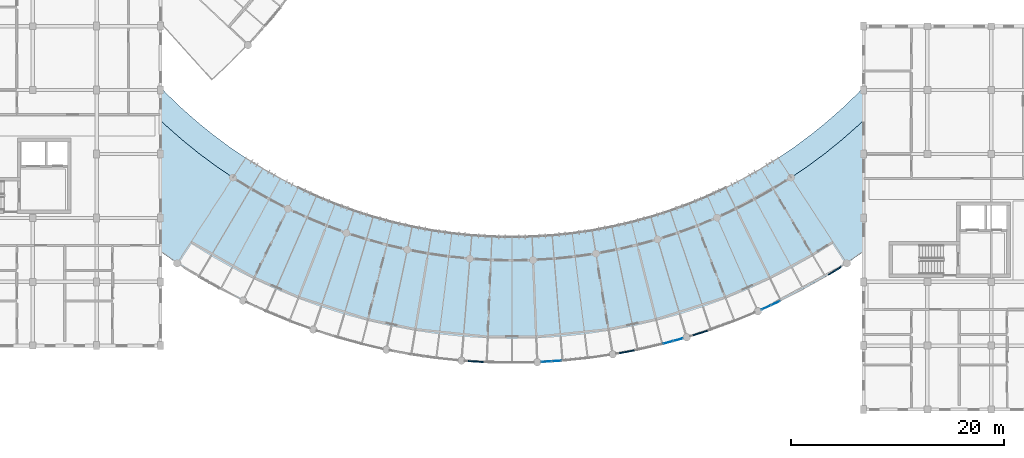
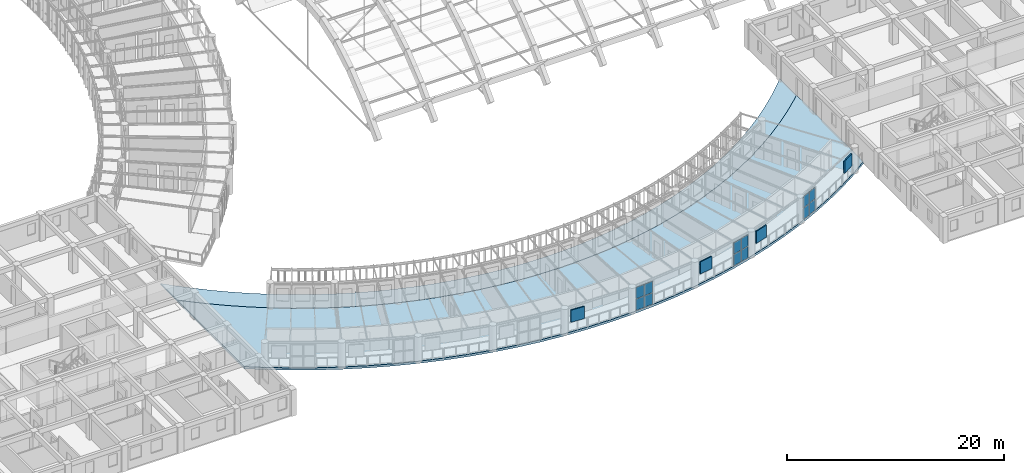
# One storey, part 62 of 123: 16 plates, 2 slabs, 3 elements without a shape of their own.
"""IFC4 building model written with IfcOpenShell, lengths in metres."""

from ifc_helpers import new_model, si_unit, direction, frame, origin, origin_2d, place, context, subcontext, project, spatial, polyline, rectangle, outline, extrude, material, layer, layer_set, type_object, element, aggregate, save


model = new_model("IFC4")

# Units and contexts
model_context = context("Model", 3, precision=1e-05, world=origin(), true_north=direction((0.0, 1.0)))
body_context = subcontext(model_context, "Body", "Model", "MODEL_VIEW")
ifc_project = project(units=[si_unit("LENGTHUNIT", "METRE"), si_unit("AREAUNIT", "SQUARE_METRE"), si_unit("VOLUMEUNIT", "CUBIC_METRE"), si_unit("PLANEANGLEUNIT", "RADIAN"), si_unit("MASSUNIT", "GRAM", prefix="KILO"), si_unit("POWERUNIT", "WATT"), si_unit("THERMODYNAMICTEMPERATUREUNIT", "KELVIN")], contexts=[model_context])

# Site, building, storey
site_placement = place(None, origin())
site = spatial("IfcSite", under=ifc_project, at=site_placement, CompositionType="ELEMENT")
building_placement = place(site_placement, origin())
building = spatial("IfcBuilding", under=site, at=building_placement, Name="Ruvembo Vaulted Housing Court", CompositionType="ELEMENT")
storey_placement = place(building_placement, frame((0.0, 0.0, 7.699951171875)))
storey = spatial("IfcBuildingStorey", under=building, at=storey_placement, Name="L02", CompositionType="ELEMENT", Elevation=7.699951171875)

# Curtain wall, plates
ifc_material_1 = material(Name="Anodised Aluminium and Solar-Control Glass", Category="aluminium")
ifc_layer_1 = layer(ifc_material_1, 0.139892578125, Name="Anodised Aluminium and Solar-Control Glass")
ifc_layer_set_1 = layer_set([ifc_layer_1], Name="Anodised Aluminium and Solar-Control Glass")
curtain_wall_type_1 = type_object("IfcCurtainWallType", Name="CW-SCOOP-PAN", PredefinedType="NOTDEFINED", material=ifc_layer_set_1)
curtain_wall_1_placement = place(storey_placement, origin())
curtain_wall_1 = element("IfcCurtainWall", 1, at=curtain_wall_1_placement, inside=storey, type_object=curtain_wall_type_1, Name="L02 Curtain Wall CW-L02-0039", PredefinedType="NOTDEFINED")
ifc_material_2 = material(Name="Solar-Control Laminated Insulating Glass", Category="glass")
ifc_layer_2 = layer(ifc_material_2, 0.035888671875, Name="Solar-Control Laminated Insulating Glass")
ifc_layer_set_2 = layer_set([ifc_layer_2], Name="Solar-Control Laminated Insulating Glass")
plate_type_1 = type_object("IfcPlateType", Name="CW-PANEL-ACOUST", PredefinedType="CURTAIN_PANEL", material=ifc_layer_set_2)
plate_1_placement = place(storey_placement, frame((83.64990234375, 6.30322265625, 0.06005859375), z_axis=(0.0, 0.0, 1.0), x_axis=(0.964255188293, 0.264975341966, 0.0)))
plate_1 = element("IfcPlate", 2, at=plate_1_placement, type_object=plate_type_1, Name="CW10 panel 1.1", PredefinedType="CURTAIN_PANEL", context=body_context, shape_type="SweptSolid", body=[
    extrude(rectangle(XDim=0.905517578125, YDim=0.035888671875, at=origin_2d()), origin(), (0.0, 0.0, 1.0), 1.259033203125),
])
plate_2_placement = place(storey_placement, frame((83.64990234375, 6.30322265625, 1.37890625), z_axis=(0.0, 0.0, 1.0), x_axis=(0.964255188293, 0.264975341966, 0.0)))
plate_2 = element("IfcPlate", 3, at=plate_2_placement, type_object=plate_type_1, Name="CW10 panel 1.2", PredefinedType="CURTAIN_PANEL", context=body_context, shape_type="SweptSolid", body=[
    extrude(rectangle(XDim=0.905517578125, YDim=0.035888671875, at=origin_2d()), origin(), (0.0, 0.0, 1.0), 1.259033203125),
])
plate_3_placement = place(storey_placement, frame((84.575927734375, 6.557861328125, 0.06005859375), z_axis=(0.0, 0.0, 1.0), x_axis=(0.964255188293, 0.264975341966, 0.0)))
plate_3 = element("IfcPlate", 4, at=plate_3_placement, type_object=plate_type_1, Name="CW10 panel 2.1", PredefinedType="CURTAIN_PANEL", context=body_context, shape_type="SweptSolid", body=[
    extrude(rectangle(XDim=0.905517578125, YDim=0.035888671875, at=origin_2d()), origin(), (0.0, 0.0, 1.0), 1.259033203125),
])
plate_4_placement = place(storey_placement, frame((84.575927734375, 6.557861328125, 1.37890625), z_axis=(0.0, 0.0, 1.0), x_axis=(0.964255188293, 0.264975341966, 0.0)))
plate_4 = element("IfcPlate", 5, at=plate_4_placement, type_object=plate_type_1, Name="CW10 panel 2.2", PredefinedType="CURTAIN_PANEL", context=body_context, shape_type="SweptSolid", body=[
    extrude(rectangle(XDim=0.905517578125, YDim=0.035888671875, at=origin_2d()), origin(), (0.0, 0.0, 1.0), 1.259033203125),
])
aggregate(curtain_wall_1, [plate_1, plate_2, plate_3, plate_4])

ifc_layer_3 = layer(ifc_material_1, 0.1201171875, Name="Anodised Aluminium and Solar-Control Glass")
ifc_layer_set_3 = layer_set([ifc_layer_3], Name="Anodised Aluminium and Solar-Control Glass")
curtain_wall_type_2 = type_object("IfcCurtainWallType", Name="CW-SCOOP-GAL", PredefinedType="NOTDEFINED", material=ifc_layer_set_3)
curtain_wall_2_placement = place(storey_placement, origin())
curtain_wall_2 = element("IfcCurtainWall", 6, at=curtain_wall_2_placement, inside=storey, type_object=curtain_wall_type_2, Name="L02 Curtain Wall CW-L02-0038", PredefinedType="NOTDEFINED")
ifc_layer_4 = layer(ifc_material_2, 0.028076171875, Name="Solar-Control Laminated Insulating Glass")
ifc_layer_set_4 = layer_set([ifc_layer_4], Name="Solar-Control Laminated Insulating Glass")
plate_type_2 = type_object("IfcPlateType", Name="CW-PANEL-GLAZED", PredefinedType="CURTAIN_PANEL", material=ifc_layer_set_4)
plate_5_placement = place(storey_placement, frame((72.234130859375, 4.502197265625, 0.06005859375), z_axis=(0.0, 0.0, 1.0), x_axis=(0.998086104235, 0.061839538585, 0.0)))
plate_5 = element("IfcPlate", 7, at=plate_5_placement, type_object=plate_type_2, Name="CW6 panel 1.1", PredefinedType="CURTAIN_PANEL", context=body_context, shape_type="SweptSolid", body=[
    extrude(rectangle(XDim=0.890625, YDim=0.028076171875, at=origin_2d()), origin(), (0.0, 0.0, 1.0), 1.259033203125),
])
plate_6_placement = place(storey_placement, frame((72.234130859375, 4.502197265625, 1.37890625), z_axis=(0.0, 0.0, 1.0), x_axis=(0.998086104235, 0.061839538585, 0.0)))
plate_6 = element("IfcPlate", 8, at=plate_6_placement, type_object=plate_type_2, Name="CW6 panel 1.2", PredefinedType="CURTAIN_PANEL", context=body_context, shape_type="SweptSolid", body=[
    extrude(rectangle(XDim=0.890625, YDim=0.028076171875, at=origin_2d()), origin(), (0.0, 0.0, 1.0), 1.259033203125),
])
plate_7_placement = place(storey_placement, frame((73.187744140625, 4.561279296875, 0.06005859375), z_axis=(0.0, 0.0, 1.0), x_axis=(0.998086104235, 0.061839538585, 0.0)))
plate_7 = element("IfcPlate", 9, at=plate_7_placement, type_object=plate_type_2, Name="CW6 panel 2.1", PredefinedType="CURTAIN_PANEL", context=body_context, shape_type="SweptSolid", body=[
    extrude(rectangle(XDim=0.890625, YDim=0.028076171875, at=origin_2d()), origin(), (0.0, 0.0, 1.0), 1.259033203125),
])
plate_8_placement = place(storey_placement, frame((73.187744140625, 4.561279296875, 1.37890625), z_axis=(0.0, 0.0, 1.0), x_axis=(0.998086104235, 0.061839538585, 0.0)))
plate_8 = element("IfcPlate", 10, at=plate_8_placement, type_object=plate_type_2, Name="CW6 panel 2.2", PredefinedType="CURTAIN_PANEL", context=body_context, shape_type="SweptSolid", body=[
    extrude(rectangle(XDim=0.890625, YDim=0.028076171875, at=origin_2d()), origin(), (0.0, 0.0, 1.0), 1.259033203125),
])
aggregate(curtain_wall_2, [plate_5, plate_6, plate_7, plate_8])

curtain_wall_3_placement = place(storey_placement, origin())
curtain_wall_3 = element("IfcCurtainWall", 11, at=curtain_wall_3_placement, inside=storey, type_object=curtain_wall_type_1, Name="L02 Curtain Wall CW-L02-0040", PredefinedType="NOTDEFINED")
ifc_layer_5 = layer(ifc_material_2, 0.031982421875, Name="Solar-Control Laminated Insulating Glass")
ifc_layer_set_5 = layer_set([ifc_layer_5], Name="Solar-Control Laminated Insulating Glass")
plate_type_3 = type_object("IfcPlateType", Name="CW-PANEL-SOLAR", PredefinedType="CURTAIN_PANEL", material=ifc_layer_set_5)
plate_9_placement = place(storey_placement, frame((92.873291015625, 9.5927734375, 0.065185546875), z_axis=(0.0, 0.0, 1.0), x_axis=(0.907645116365, 0.419738421805, 0.0)))
plate_9 = element("IfcPlate", 12, at=plate_9_placement, type_object=plate_type_3, Name="CW10 panel 1.1", PredefinedType="CURTAIN_PANEL", context=body_context, shape_type="SweptSolid", body=[
    extrude(rectangle(XDim=0.89794921875, YDim=0.031982421875, at=origin_2d()), origin(), (0.0, 0.0, 1.0), 1.25146484375),
])
plate_10_placement = place(storey_placement, frame((92.873291015625, 9.5927734375, 1.381591796875), z_axis=(0.0, 0.0, 1.0), x_axis=(0.907645116365, 0.419738421805, 0.0)))
plate_10 = element("IfcPlate", 13, at=plate_10_placement, type_object=plate_type_3, Name="CW10 panel 1.2", PredefinedType="CURTAIN_PANEL", context=body_context, shape_type="SweptSolid", body=[
    extrude(rectangle(XDim=0.89794921875, YDim=0.031982421875, at=origin_2d()), origin(), (0.0, 0.0, 1.0), 1.25146484375),
])
plate_11_placement = place(storey_placement, frame((93.742919921875, 9.994873046875, 0.065185546875), z_axis=(0.0, 0.0, 1.0), x_axis=(0.907645116365, 0.419738421805, 0.0)))
plate_11 = element("IfcPlate", 14, at=plate_11_placement, type_object=plate_type_3, Name="CW10 panel 2.1", PredefinedType="CURTAIN_PANEL", context=body_context, shape_type="SweptSolid", body=[
    extrude(rectangle(XDim=0.89794921875, YDim=0.031982421875, at=origin_2d()), origin(), (0.0, 0.0, 1.0), 1.25146484375),
])
plate_12_placement = place(storey_placement, frame((93.742919921875, 9.994873046875, 1.381591796875), z_axis=(0.0, 0.0, 1.0), x_axis=(0.907645116365, 0.419738421805, 0.0)))
plate_12 = element("IfcPlate", 15, at=plate_12_placement, type_object=plate_type_3, Name="CW10 panel 2.2", PredefinedType="CURTAIN_PANEL", context=body_context, shape_type="SweptSolid", body=[
    extrude(rectangle(XDim=0.89794921875, YDim=0.031982421875, at=origin_2d()), origin(), (0.0, 0.0, 1.0), 1.25146484375),
])
aggregate(curtain_wall_3, [plate_9, plate_10, plate_11, plate_12])

# Plates
ifc_material_3 = material(Name="Perforated Glazed Ceramic Cobogo Block", Category="ceramic")
ifc_layer_6 = layer(ifc_material_3, 0.1201171875, Name="Perforated Glazed Ceramic Cobogo Block")
ifc_layer_set_6 = layer_set([ifc_layer_6], Name="Perforated Glazed Ceramic Cobogo Block")
plate_type_4 = type_object("IfcPlateType", Name="PL-COBOGO-120", PredefinedType="USERDEFINED", material=ifc_layer_set_6)
for number, where, z_axis, x_axis, name in (
    (16, (65.58837890625, 4.51318359375, 1.1201171875), (0.0, 0.0, 1.0), (0.998086543166, -0.061832453863, 0.0), "Scoop SC2 L02 Ceramic Cobogo Screen #43"),
    (17, (79.776611328125, 5.429443359375, 1.1201171875), (0.0, 0.0, 1.0), (0.982816353606, 0.184586064165, 0.0), "Scoop SC2 L02 Ceramic Cobogo Screen #44"),
    (18, (86.677490234375, 7.1923828125, 1.1201171875), (0.0, 0.0, 1.0), (0.952523417345, 0.304465333674, 0.0), "Scoop SC2 L02 Ceramic Cobogo Screen #45"),
    (19, (99.31201171875, 13.03515625, 1.1201171875), (0.0, 0.0, 1.0), (0.848888670256, 0.528571684363, 0.0), "Scoop SC2 L02 Ceramic Cobogo Screen #46"),
):
    element("IfcPlate", number, at=place(storey_placement, frame(where, z_axis=z_axis, x_axis=x_axis)), inside=storey, type_object=plate_type_4, Name=name, ObjectType="COBOGO_PANEL", PredefinedType="USERDEFINED", context=body_context, shape_type="SweptSolid", body=[
        extrude(rectangle(XDim=1.39990234375, YDim=0.1201171875, at=origin_2d()), origin(), (0.0, 0.0, 1.0), 1.360107421875),
    ])

# Slabs
ifc_material_4 = material(Name="Concrete C35/45", Category="concrete")
ifc_layer_7 = layer(ifc_material_4, 0.179931640625, Name="Concrete C35/45")
ifc_layer_set_7 = layer_set([ifc_layer_7], Name="Concrete C35/45")
slab_type_1 = type_object("IfcSlabType", Name="SL-BAL-180", PredefinedType="FLOOR", material=ifc_layer_set_7)
slab_1_placement = place(storey_placement, frame((0.0, 0.0, -0.179931640625)))
element("IfcSlab", 20, at=slab_1_placement, inside=storey, type_object=slab_type_1, Name="Scoop SC2 L02 Continuous Curved Balcony Slab", PredefinedType="FLOOR", context=body_context, shape_type="SweptSolid", body=[
    extrude(outline(polyline([(36.0, 30.2548828125), (36.0, 27.156494140625), (36.543701171875, 26.636474609375), (38.02978515625, 25.327880859375), (39.568359375, 24.081787109375), (41.1572265625, 22.900390625), (42.79345703125, 21.785400390625), (44.474365234375, 20.73876953125), (46.19677734375, 19.762451171875), (47.958251953125, 18.85791015625), (49.75537109375, 18.02685546875), (51.585205078125, 17.2705078125), (53.44482421875, 16.59033203125), (55.330810546875, 15.987548828125), (57.239990234375, 15.462890625), (59.169189453125, 15.017578125), (61.115234375, 14.652099609375), (63.07470703125, 14.3671875), (65.044189453125, 14.163330078125), (67.0205078125, 14.040771484375), (69.0, 14.0), (70.9794921875, 14.040771484375), (72.955810546875, 14.163330078125), (74.92529296875, 14.3671875), (76.884765625, 14.652099609375), (78.830810546875, 15.017578125), (80.760009765625, 15.462890625), (82.669189453125, 15.987548828125), (84.55517578125, 16.59033203125), (86.414794921875, 17.2705078125), (88.24462890625, 18.02685546875), (90.041748046875, 18.85791015625), (91.80322265625, 19.762451171875), (93.525634765625, 20.73876953125), (95.20654296875, 21.785400390625), (96.8427734375, 22.900390625), (98.431640625, 24.081787109375), (99.97021484375, 25.327880859375), (101.456298828125, 26.636474609375), (102.0, 27.156494140625), (102.0, 30.2548828125), (101.333984375, 29.563232421875), (99.96875, 28.25732421875), (98.55078125, 27.0087890625), (97.08251953125, 25.81982421875), (95.566650390625, 24.6923828125), (94.00537109375, 23.62841796875), (92.401611328125, 22.6298828125), (90.758056640625, 21.6982421875), (89.077392578125, 20.835205078125), (87.362548828125, 20.042236328125), (85.61669921875, 19.320556640625), (83.84228515625, 18.671630859375), (82.042724609375, 18.096435546875), (80.220947265625, 17.595703125), (78.380126953125, 17.1708984375), (76.523193359375, 16.822021484375), (74.65380859375, 16.55029296875), (72.7744140625, 16.355712890625), (70.888916015625, 16.239013671875), (69.0, 16.199951171875), (67.111083984375, 16.239013671875), (65.2255859375, 16.355712890625), (63.34619140625, 16.55029296875), (61.476806640625, 16.822021484375), (59.619873046875, 17.1708984375), (57.779052734375, 17.595703125), (55.957275390625, 18.096435546875), (54.15771484375, 18.671630859375), (52.38330078125, 19.320556640625), (50.637451171875, 20.042236328125), (48.922607421875, 20.835205078125), (47.241943359375, 21.6982421875), (45.598388671875, 22.6298828125), (43.99462890625, 23.62841796875), (42.433349609375, 24.6923828125), (40.91748046875, 25.81982421875), (39.44921875, 27.0087890625), (38.03125, 28.25732421875), (36.666015625, 29.563232421875), (36.0, 30.2548828125)])), origin(), (0.0, 0.0, 1.0), 0.179931640625),
])
ifc_layer_8 = layer(ifc_material_4, 0.251953125, Name="Concrete C35/45")
ifc_layer_set_8 = layer_set([ifc_layer_8], Name="Concrete C35/45")
slab_type_2 = type_object("IfcSlabType", Name="SL-SCOOP-252", PredefinedType="FLOOR", material=ifc_layer_set_8)
slab_2_placement = place(storey_placement, frame((0.0, 0.0, -0.251953125)))
element("IfcSlab", 21, at=slab_2_placement, inside=storey, type_object=slab_type_2, Name="Scoop SC2 L02 Floor Slab", PredefinedType="FLOOR", context=body_context, shape_type="SweptSolid", body=[
    extrude(outline(polyline([(36.0, 27.156494140625), (36.0, 14.80029296875), (37.55224609375, 13.742431640625), (39.569091796875, 12.486572265625), (41.63623046875, 11.31494140625), (43.749755859375, 10.2294921875), (45.906494140625, 9.232177734375), (48.102294921875, 8.32470703125), (50.333740234375, 7.50830078125), (52.596923828125, 6.784912109375), (54.887939453125, 6.155517578125), (57.203125, 5.62109375), (59.538330078125, 5.182373046875), (61.8896484375, 4.840576171875), (64.2529296875, 4.595947265625), (66.62451171875, 4.448974609375), (69.0, 4.39990234375), (71.37548828125, 4.448974609375), (73.7470703125, 4.595947265625), (76.1103515625, 4.840576171875), (78.461669921875, 5.182373046875), (80.796875, 5.62109375), (83.112060546875, 6.155517578125), (85.403076171875, 6.784912109375), (87.666259765625, 7.50830078125), (89.897705078125, 8.32470703125), (92.093505859375, 9.232177734375), (94.250244140625, 10.2294921875), (96.36376953125, 11.31494140625), (98.430908203125, 12.486572265625), (100.44775390625, 13.742431640625), (102.0, 14.80029296875), (102.0, 27.156494140625), (101.456298828125, 26.636474609375), (99.97021484375, 25.327880859375), (98.431640625, 24.081787109375), (96.8427734375, 22.900390625), (95.20654296875, 21.785400390625), (93.525634765625, 20.73876953125), (91.80322265625, 19.762451171875), (90.041748046875, 18.85791015625), (88.24462890625, 18.02685546875), (86.414794921875, 17.2705078125), (84.55517578125, 16.59033203125), (82.669189453125, 15.987548828125), (80.760009765625, 15.462890625), (78.830810546875, 15.017578125), (76.884765625, 14.652099609375), (74.92529296875, 14.3671875), (72.955810546875, 14.163330078125), (70.9794921875, 14.040771484375), (69.0, 14.0), (67.0205078125, 14.040771484375), (65.044189453125, 14.163330078125), (63.07470703125, 14.3671875), (61.115234375, 14.652099609375), (59.169189453125, 15.017578125), (57.239990234375, 15.462890625), (55.330810546875, 15.987548828125), (53.44482421875, 16.59033203125), (51.585205078125, 17.2705078125), (49.75537109375, 18.02685546875), (47.958251953125, 18.85791015625), (46.19677734375, 19.762451171875), (44.474365234375, 20.73876953125), (42.79345703125, 21.785400390625), (41.1572265625, 22.900390625), (39.568359375, 24.081787109375), (38.02978515625, 25.327880859375), (36.543701171875, 26.636474609375), (36.0, 27.156494140625)])), origin(), (0.0, 0.0, 1.0), 0.251953125),
])

save(model, "model.ifc")
